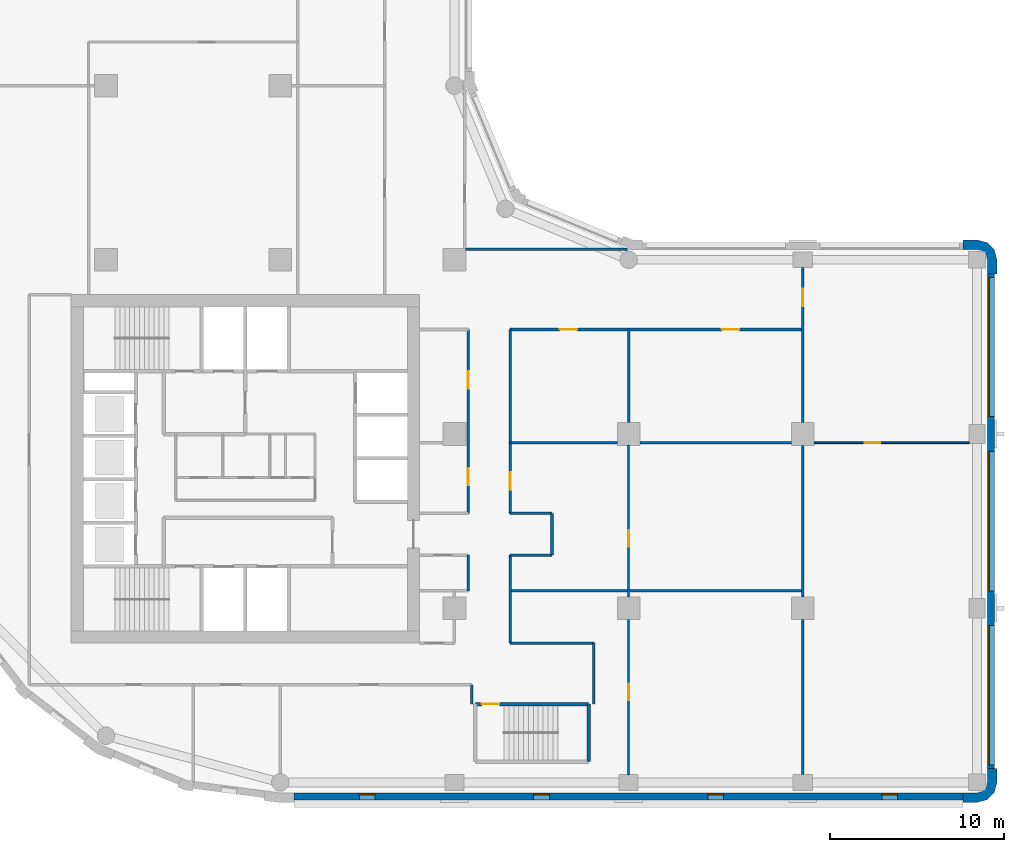
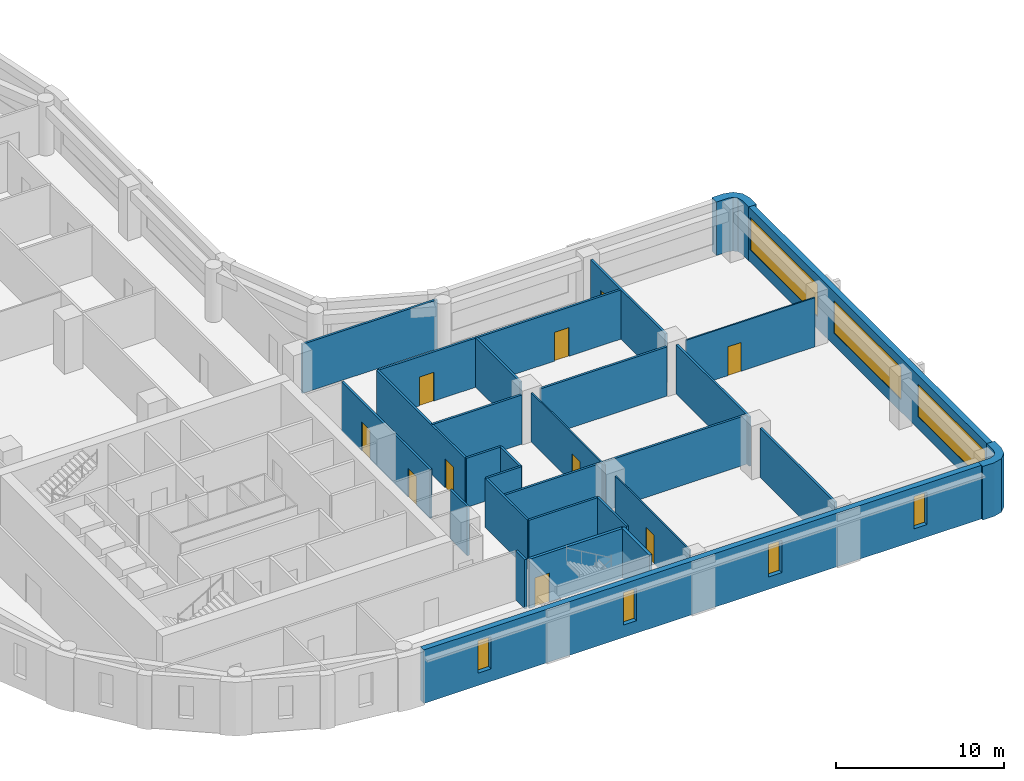
# One storey, part 4 of 9: 28 walls, 10 doors, 7 windows, 17 openings.
"""IFC4 building model written with IfcOpenShell, lengths in metres."""

from ifc_helpers import new_model, si_unit, direction, frame, frame_2d, origin, place, context, subcontext, project, spatial, polyline, rectangle, outline, extrude, material, layer, layer_set, type_object, element, fill, save


model = new_model("IFC4")

# Units and contexts
model_context = context("Model", 3, precision=1e-05, world=origin(), true_north=direction((0.0, 1.0)))
body_context = subcontext(model_context, "Body", "Model", "MODEL_VIEW")
ifc_project = project(units=[si_unit("LENGTHUNIT", "METRE"), si_unit("AREAUNIT", "SQUARE_METRE"), si_unit("VOLUMEUNIT", "CUBIC_METRE"), si_unit("PLANEANGLEUNIT", "RADIAN"), si_unit("MASSUNIT", "GRAM", prefix="KILO")], contexts=[model_context])

# Site, building, storey
site_placement = place(None, origin())
site = spatial("IfcSite", under=ifc_project, at=site_placement, CompositionType="ELEMENT")
building_placement = place(site_placement, origin())
building = spatial("IfcBuilding", under=site, at=building_placement, Name="Qaws Garden Tower", CompositionType="ELEMENT")
storey_placement = place(building_placement, frame((0.0, 0.0, 159.0)))
storey = spatial("IfcBuildingStorey", under=building, at=storey_placement, Name="L38", CompositionType="ELEMENT", Elevation=159.0)

# Walls
ifc_material_1 = material(Name="Clay facing brick masonry", Category="masonry")
ifc_layer_1 = layer(ifc_material_1, 0.550048828125)
ifc_layer_set_1 = layer_set([ifc_layer_1], Name="Clay facing brick masonry")
wall_type_1 = type_object("IfcWallType", Name="Brick corner pier 550 x 2400", PredefinedType="SOLIDWALL", material=ifc_layer_set_1)
placement = place(storey_placement, origin())
element("IfcWall", 1, at=placement, inside=storey, type_object=wall_type_1, Name="E-L38-pier-04", PredefinedType="SOLIDWALL", context=body_context, shape_type="SweptSolid", body=[
    extrude(outline(polyline([(59.199951171875, -1.0), (59.199951171875, -1.14990234375), (60.0, -1.14990234375), (60.574951171875, -0.995849609375), (60.995849609375, -0.574951171875), (61.14990234375, 0.0), (61.14990234375, 0.800048828125), (61.0, 0.800048828125), (60.60009765625, 0.800048828125), (60.60009765625, 0.0), (60.51953125, -0.300048828125), (60.300048828125, -0.51953125), (60.0, -0.60009765625), (59.199951171875, -0.60009765625), (59.199951171875, -1.0)])), origin(), (0.0, 0.0, 1.0), 3.89990234375),
])
element("IfcWall", 2, at=placement, inside=storey, type_object=wall_type_1, Name="E-L38-pier-07", PredefinedType="SOLIDWALL", context=body_context, shape_type="SweptSolid", body=[
    extrude(outline(polyline([(61.0, 29.199951171875), (61.14990234375, 29.199951171875), (61.14990234375, 30.0), (60.995849609375, 30.574951171875), (60.574951171875, 30.995849609375), (60.0, 31.14990234375), (59.199951171875, 31.14990234375), (59.199951171875, 31.0), (59.199951171875, 30.60009765625), (60.0, 30.60009765625), (60.300048828125, 30.51953125), (60.51953125, 30.300048828125), (60.60009765625, 30.0), (60.60009765625, 29.199951171875), (61.0, 29.199951171875)])), origin(), (0.0, 0.0, 1.0), 3.89990234375),
])

# Wall, openings, windows
ifc_material_2 = material(Name="Clay facing brick masonry", Category="masonry")
ifc_layer_2 = layer(ifc_material_2, 0.39990234375)
ifc_layer_set_2 = layer_set([ifc_layer_2], Name="Clay facing brick masonry")
wall_type_2 = type_object("IfcWallType", Name="Brick infill wall 400", PredefinedType="SOLIDWALL", material=ifc_layer_set_2)
wall_3_placement = place(storey_placement, frame((20.800048828125, -0.800048828125, 0.0), z_axis=(0.0, 0.0, 1.0), x_axis=(1.0, 0.0, 0.0)))
wall_3 = element("IfcWall", 3, at=wall_3_placement, inside=storey, type_object=wall_type_2, Name="E-L38-infill-00", PredefinedType="SOLIDWALL", context=body_context, shape_type="SweptSolid", body=[
    extrude(rectangle(XDim=38.39990234375, YDim=0.39990234375, at=frame_2d((19.199951171875, 0.0))), origin(), (0.0, 0.0, 1.0), 3.89990234375),
])
opening_1_placement = place(wall_3_placement, frame((3.75, 0.0, 0.89990234375)))
opening_1 = element("IfcOpeningElement", 4, at=opening_1_placement, cuts=wall_3, Name="Opening W09", PredefinedType="OPENING", context=body_context, shape_type="SweptSolid", body=[
    extrude(rectangle(XDim=0.89990234375, YDim=2.35009765625, at=frame_2d((0.449951171875, 1.175048828125))), frame((0.0, 0.2099609375, 0.0), z_axis=(0.0, -1.0, 0.0), x_axis=(1.0, 0.0, 0.0)), (0.0, 0.0, 1.0), 0.419921875),
])
opening_2_placement = place(wall_3_placement, frame((13.75, 0.0, 0.89990234375)))
opening_2 = element("IfcOpeningElement", 5, at=opening_2_placement, cuts=wall_3, Name="Opening W09", PredefinedType="OPENING", context=body_context, shape_type="SweptSolid", body=[
    extrude(rectangle(XDim=0.89990234375, YDim=2.35009765625, at=frame_2d((0.449951171875, 1.175048828125))), frame((0.0, 0.2099609375, 0.0), z_axis=(0.0, -1.0, 0.0), x_axis=(1.0, 0.0, 0.0)), (0.0, 0.0, 1.0), 0.419921875),
])
opening_3_placement = place(wall_3_placement, frame((23.75, 0.0, 0.89990234375)))
opening_3 = element("IfcOpeningElement", 6, at=opening_3_placement, cuts=wall_3, Name="Opening W09", PredefinedType="OPENING", context=body_context, shape_type="SweptSolid", body=[
    extrude(rectangle(XDim=0.89990234375, YDim=2.35009765625, at=frame_2d((0.449951171875, 1.175048828125))), frame((0.0, 0.2099609375, 0.0), z_axis=(0.0, -1.0, 0.0), x_axis=(1.0, 0.0, 0.0)), (0.0, 0.0, 1.0), 0.419921875),
])
opening_4_placement = place(wall_3_placement, frame((33.75, 0.0, 0.89990234375)))
opening_4 = element("IfcOpeningElement", 7, at=opening_4_placement, cuts=wall_3, Name="Opening W09", PredefinedType="OPENING", context=body_context, shape_type="SweptSolid", body=[
    extrude(rectangle(XDim=0.89990234375, YDim=2.35009765625, at=frame_2d((0.449951171875, 1.175048828125))), frame((0.0, 0.2099609375, 0.0), z_axis=(0.0, -1.0, 0.0), x_axis=(1.0, 0.0, 0.0)), (0.0, 0.0, 1.0), 0.419921875),
])
ifc_material_3 = material(Name="Aluminium framed window, clear glazing", Category="aluminium")
window_type_1 = type_object("IfcWindowType", Name="Slit window 900 x 2350", PartitioningType="SINGLE_PANEL", PredefinedType="WINDOW", material=ifc_material_3)
window_1_placement = place(opening_1_placement, origin())
window_1 = element("IfcWindow", 8, at=window_1_placement, inside=storey, type_object=window_type_1, Name="E-L38-window-00-0", OverallHeight=2.35009765625, OverallWidth=0.89990234375, PartitioningType="SINGLE_PANEL", PredefinedType="WINDOW", context=body_context, shape_type="SweptSolid", body=[
    extrude(rectangle(XDim=0.89990234375, YDim=2.35009765625, at=frame_2d((0.449951171875, 1.175048828125))), frame((0.0, 0.159912109375, 0.0), z_axis=(0.0, -1.0, 0.0), x_axis=(1.0, 0.0, 0.0)), (0.0, 0.0, 1.0), 0.06005859375),
])
fill(opening_1, window_1)
window_2_placement = place(opening_2_placement, origin())
window_2 = element("IfcWindow", 9, at=window_2_placement, inside=storey, type_object=window_type_1, Name="E-L38-window-01-0", OverallHeight=2.35009765625, OverallWidth=0.89990234375, PartitioningType="SINGLE_PANEL", PredefinedType="WINDOW", context=body_context, shape_type="SweptSolid", body=[
    extrude(rectangle(XDim=0.89990234375, YDim=2.35009765625, at=frame_2d((0.449951171875, 1.175048828125))), frame((0.0, 0.159912109375, 0.0), z_axis=(0.0, -1.0, 0.0), x_axis=(1.0, 0.0, 0.0)), (0.0, 0.0, 1.0), 0.06005859375),
])
fill(opening_2, window_2)
window_3_placement = place(opening_3_placement, origin())
window_3 = element("IfcWindow", 10, at=window_3_placement, inside=storey, type_object=window_type_1, Name="E-L38-window-02-0", OverallHeight=2.35009765625, OverallWidth=0.89990234375, PartitioningType="SINGLE_PANEL", PredefinedType="WINDOW", context=body_context, shape_type="SweptSolid", body=[
    extrude(rectangle(XDim=0.89990234375, YDim=2.35009765625, at=frame_2d((0.449951171875, 1.175048828125))), frame((0.0, 0.159912109375, 0.0), z_axis=(0.0, -1.0, 0.0), x_axis=(1.0, 0.0, 0.0)), (0.0, 0.0, 1.0), 0.06005859375),
])
fill(opening_3, window_3)
window_4_placement = place(opening_4_placement, origin())
window_4 = element("IfcWindow", 11, at=window_4_placement, inside=storey, type_object=window_type_1, Name="E-L38-window-03-0", OverallHeight=2.35009765625, OverallWidth=0.89990234375, PartitioningType="SINGLE_PANEL", PredefinedType="WINDOW", context=body_context, shape_type="SweptSolid", body=[
    extrude(rectangle(XDim=0.89990234375, YDim=2.35009765625, at=frame_2d((0.449951171875, 1.175048828125))), frame((0.0, 0.159912109375, 0.0), z_axis=(0.0, -1.0, 0.0), x_axis=(1.0, 0.0, 0.0)), (0.0, 0.0, 1.0), 0.06005859375),
])
fill(opening_4, window_4)

wall_4_placement = place(storey_placement, frame((60.800048828125, 0.800048828125, 0.0), z_axis=(0.0, 0.0, 1.0), x_axis=(0.0, 1.0, 0.0)))
wall_4 = element("IfcWall", 12, at=wall_4_placement, inside=storey, type_object=wall_type_2, Name="E-L38-infill-04", PredefinedType="SOLIDWALL", context=body_context, shape_type="SweptSolid", body=[
    extrude(rectangle(XDim=28.39990234375, YDim=0.39990234375, at=frame_2d((14.199951171875, 0.0))), origin(), (0.0, 0.0, 1.0), 3.89990234375),
])
opening_5_placement = place(wall_4_placement, frame((0.199951171875, 0.0, 0.89990234375)))
opening_5 = element("IfcOpeningElement", 13, at=opening_5_placement, cuts=wall_4, Name="Opening W01", PredefinedType="OPENING", context=body_context, shape_type="SweptSolid", body=[
    extrude(rectangle(XDim=8.0, YDim=2.35009765625, at=frame_2d((4.0, 1.175048828125))), frame((0.0, 0.2099609375, 0.0), z_axis=(0.0, -1.0, 0.0), x_axis=(1.0, 0.0, 0.0)), (0.0, 0.0, 1.0), 0.419921875),
])
opening_6_placement = place(wall_4_placement, frame((10.199951171875, 0.0, 0.89990234375)))
opening_6 = element("IfcOpeningElement", 14, at=opening_6_placement, cuts=wall_4, Name="Opening W01", PredefinedType="OPENING", context=body_context, shape_type="SweptSolid", body=[
    extrude(rectangle(XDim=8.0, YDim=2.35009765625, at=frame_2d((4.0, 1.175048828125))), frame((0.0, 0.2099609375, 0.0), z_axis=(0.0, -1.0, 0.0), x_axis=(1.0, 0.0, 0.0)), (0.0, 0.0, 1.0), 0.419921875),
])
opening_7_placement = place(wall_4_placement, frame((20.199951171875, 0.0, 0.89990234375)))
opening_7 = element("IfcOpeningElement", 15, at=opening_7_placement, cuts=wall_4, Name="Opening W01", PredefinedType="OPENING", context=body_context, shape_type="SweptSolid", body=[
    extrude(rectangle(XDim=8.0, YDim=2.35009765625, at=frame_2d((4.0, 1.175048828125))), frame((0.0, 0.2099609375, 0.0), z_axis=(0.0, -1.0, 0.0), x_axis=(1.0, 0.0, 0.0)), (0.0, 0.0, 1.0), 0.419921875),
])
ifc_material_4 = material(Name="Aluminium framed window, clear glazing", Category="aluminium")
window_type_2 = type_object("IfcWindowType", Name="Ribbon window 8000 x 2350", PartitioningType="DOUBLE_PANEL_VERTICAL", PredefinedType="WINDOW", material=ifc_material_4)
window_5_placement = place(opening_5_placement, origin())
window_5 = element("IfcWindow", 16, at=window_5_placement, inside=storey, type_object=window_type_2, Name="E-L38-window-04-0", OverallHeight=2.35009765625, OverallWidth=8.0, PartitioningType="SINGLE_PANEL", PredefinedType="WINDOW", context=body_context, shape_type="SweptSolid", body=[
    extrude(rectangle(XDim=8.0, YDim=2.35009765625, at=frame_2d((4.0, 1.175048828125))), frame((0.0, 0.159912109375, 0.0), z_axis=(0.0, -1.0, 0.0), x_axis=(1.0, 0.0, 0.0)), (0.0, 0.0, 1.0), 0.06005859375),
])
fill(opening_5, window_5)
window_6_placement = place(opening_6_placement, origin())
window_6 = element("IfcWindow", 17, at=window_6_placement, inside=storey, type_object=window_type_2, Name="E-L38-window-05-0", OverallHeight=2.35009765625, OverallWidth=8.0, PartitioningType="SINGLE_PANEL", PredefinedType="WINDOW", context=body_context, shape_type="SweptSolid", body=[
    extrude(rectangle(XDim=8.0, YDim=2.35009765625, at=frame_2d((4.0, 1.175048828125))), frame((0.0, 0.159912109375, 0.0), z_axis=(0.0, -1.0, 0.0), x_axis=(1.0, 0.0, 0.0)), (0.0, 0.0, 1.0), 0.06005859375),
])
fill(opening_6, window_6)
window_7_placement = place(opening_7_placement, origin())
window_7 = element("IfcWindow", 18, at=window_7_placement, inside=storey, type_object=window_type_2, Name="E-L38-window-06-0", OverallHeight=2.35009765625, OverallWidth=8.0, PartitioningType="SINGLE_PANEL", PredefinedType="WINDOW", context=body_context, shape_type="SweptSolid", body=[
    extrude(rectangle(XDim=8.0, YDim=2.35009765625, at=frame_2d((4.0, 1.175048828125))), frame((0.0, 0.159912109375, 0.0), z_axis=(0.0, -1.0, 0.0), x_axis=(1.0, 0.0, 0.0)), (0.0, 0.0, 1.0), 0.06005859375),
])
fill(opening_7, window_7)

# Wall, opening, door
ifc_material_5 = material(Name="Concrete C70", Category="concrete")
ifc_layer_3 = layer(ifc_material_5, 0.199951171875)
ifc_layer_set_3 = layer_set([ifc_layer_3], Name="Concrete C70")
wall_type_3 = type_object("IfcWallType", Name="Core shaft wall 200 C70", PredefinedType="SHEAR", material=ifc_layer_set_3)
wall_5_placement = place(storey_placement, frame((31.199951171875, 4.5, 0.0), z_axis=(0.0, 0.0, 1.0), x_axis=(1.0, 0.0, 0.0)))
wall_5 = element("IfcWall", 19, at=wall_5_placement, inside=storey, type_object=wall_type_3, Name="Shaft wall", PredefinedType="SHEAR", context=body_context, shape_type="SweptSolid", body=[
    extrude(rectangle(XDim=6.5, YDim=0.199951171875, at=frame_2d((3.25, 0.0))), origin(), (0.0, 0.0, 1.0), 3.580078125),
])
opening_8_placement = place(wall_5_placement, frame((0.375, 0.0, 0.0)))
opening_8 = element("IfcOpeningElement", 20, at=opening_8_placement, cuts=wall_5, Name="Opening SD12", PredefinedType="OPENING", context=body_context, shape_type="SweptSolid", body=[
    extrude(rectangle(XDim=1.0, YDim=2.10009765625, at=frame_2d((0.5, 1.050048828125))), frame((0.0, 0.10986328125, 0.0), z_axis=(0.0, -1.0, 0.0), x_axis=(1.0, 0.0, 0.0)), (0.0, 0.0, 1.0), 0.219970703125),
])
ifc_material_6 = material(Name="Steel S235", Category="steel")
door_type_1 = type_object("IfcDoorType", Name="Stair door 1000x2100", OperationType="SINGLE_SWING_RIGHT", PredefinedType="DOOR", material=ifc_material_6)
door_1_placement = place(opening_8_placement, frame((1.0, 0.0, 0.0), z_axis=(0.0, 0.0, 1.0), x_axis=(-1.0, 0.0, 0.0)))
door_1 = element("IfcDoor", 21, at=door_1_placement, inside=storey, type_object=door_type_1, Name="Stair 5 door", OperationType="SINGLE_SWING_RIGHT", OverallHeight=2.10009765625, OverallWidth=1.0, PredefinedType="DOOR", context=body_context, shape_type="SweptSolid", body=[
    extrude(rectangle(XDim=1.0, YDim=2.10009765625, at=frame_2d((0.5, 1.050048828125))), frame((0.0, 0.02490234375, 0.0), z_axis=(0.0, -1.0, 0.0), x_axis=(1.0, 0.0, 0.0)), (0.0, 0.0, 1.0), 0.050048828125),
])
fill(opening_8, door_1)

# Wall
wall_6_placement = place(storey_placement, frame((37.699951171875, 1.199951171875, 0.0), z_axis=(0.0, 0.0, 1.0), x_axis=(0.0, 1.0, 0.0)))
element("IfcWall", 22, at=wall_6_placement, inside=storey, type_object=wall_type_3, Name="Shaft wall", PredefinedType="SHEAR", context=body_context, shape_type="SweptSolid", body=[
    extrude(rectangle(XDim=3.300048828125, YDim=0.199951171875, at=frame_2d((1.64990234375, 0.0))), origin(), (0.0, 0.0, 1.0), 3.580078125),
])

# Wall, opening, door
ifc_material_7 = material(Name="Gypsum board partition")
ifc_layer_4 = layer(ifc_material_7, 0.10009765625)
ifc_layer_set_4 = layer_set([ifc_layer_4], Name="Gypsum board partition")
wall_type_4 = type_object("IfcWallType", Name="PARTITION 100", PredefinedType="PARTITIONING", material=ifc_layer_set_4)
wall_7_placement = place(storey_placement, frame((40.0, 0.449951171875, 0.0), z_axis=(0.0, 0.0, 1.0), x_axis=(0.0, 1.0, 0.0)))
wall_7 = element("IfcWall", 23, at=wall_7_placement, inside=storey, type_object=wall_type_4, Name="O-L38-wall-002", PredefinedType="PARTITIONING", context=body_context, shape_type="SweptSolid", body=[
    extrude(rectangle(XDim=8.900146484375, YDim=0.10009765625, at=frame_2d((4.4501953125, 0.0))), origin(), (0.0, 0.0, 1.0), 3.580078125),
])
opening_9_placement = place(wall_7_placement, frame((4.27490234375, 0.0, 0.0)))
opening_9 = element("IfcOpeningElement", 24, at=opening_9_placement, cuts=wall_7, Name="Opening B322", PredefinedType="OPENING", context=body_context, shape_type="SweptSolid", body=[
    extrude(rectangle(XDim=0.949951171875, YDim=2.10009765625, at=frame_2d((0.47509765625, 1.050048828125))), frame((0.0, 0.06005859375, 0.0), z_axis=(0.0, -1.0, 0.0), x_axis=(1.0, 0.0, 0.0)), (0.0, 0.0, 1.0), 0.1201171875),
])
ifc_material_8 = material(Name="Timber and glass door leaf", Category="wood")
door_type_2 = type_object("IfcDoorType", Name="GLAZED DOOR 950 X 2100", OperationType="SINGLE_SWING_LEFT", PredefinedType="DOOR", material=ifc_material_8)
door_2_placement = place(opening_9_placement, frame((0.949951171875, 0.0, 0.0), z_axis=(0.0, 0.0, 1.0), x_axis=(-1.0, 0.0, 0.0)))
door_2 = element("IfcDoor", 25, at=door_2_placement, inside=storey, type_object=door_type_2, Name="O-L38-door-022", OperationType="SINGLE_SWING_LEFT", OverallHeight=2.10009765625, OverallWidth=0.949951171875, PredefinedType="DOOR", context=body_context, shape_type="SweptSolid", body=[
    extrude(rectangle(XDim=0.949951171875, YDim=2.10009765625, at=frame_2d((0.47509765625, 1.050048828125))), frame((0.0, 0.02490234375, 0.0), z_axis=(0.0, -1.0, 0.0), x_axis=(1.0, 0.0, 0.0)), (0.0, 0.0, 1.0), 0.050048828125),
])
fill(opening_9, door_2)

wall_8_placement = place(storey_placement, frame((40.0, 10.64990234375, 0.0), z_axis=(0.0, 0.0, 1.0), x_axis=(0.0, 1.0, 0.0)))
wall_8 = element("IfcWall", 26, at=wall_8_placement, inside=storey, type_object=wall_type_4, Name="O-L38-wall-003", PredefinedType="PARTITIONING", context=body_context, shape_type="SweptSolid", body=[
    extrude(rectangle(XDim=8.7001953125, YDim=0.10009765625, at=frame_2d((4.35009765625, 0.0))), origin(), (0.0, 0.0, 1.0), 3.580078125),
])
opening_10_placement = place(wall_8_placement, frame((2.875, 0.0, 0.0)))
opening_10 = element("IfcOpeningElement", 27, at=opening_10_placement, cuts=wall_8, Name="Opening B325", PredefinedType="OPENING", context=body_context, shape_type="SweptSolid", body=[
    extrude(rectangle(XDim=0.949951171875, YDim=2.10009765625, at=frame_2d((0.47509765625, 1.050048828125))), frame((0.0, 0.06005859375, 0.0), z_axis=(0.0, -1.0, 0.0), x_axis=(1.0, 0.0, 0.0)), (0.0, 0.0, 1.0), 0.1201171875),
])
door_3_placement = place(opening_10_placement, origin())
door_3 = element("IfcDoor", 28, at=door_3_placement, inside=storey, type_object=door_type_2, Name="O-L38-door-025", OperationType="SINGLE_SWING_RIGHT", OverallHeight=2.10009765625, OverallWidth=0.949951171875, PredefinedType="DOOR", context=body_context, shape_type="SweptSolid", body=[
    extrude(rectangle(XDim=0.949951171875, YDim=2.10009765625, at=frame_2d((0.47509765625, 1.050048828125))), frame((0.0, 0.02490234375, 0.0), z_axis=(0.0, -1.0, 0.0), x_axis=(1.0, 0.0, 0.0)), (0.0, 0.0, 1.0), 0.050048828125),
])
fill(opening_10, door_3)

wall_9_placement = place(storey_placement, frame((50.64990234375, 19.5, 0.0), z_axis=(0.0, 0.0, 1.0), x_axis=(1.0, 0.0, 0.0)))
wall_9 = element("IfcWall", 29, at=wall_9_placement, inside=storey, type_object=wall_type_4, Name="O-L38-wall-004", PredefinedType="PARTITIONING", context=body_context, shape_type="SweptSolid", body=[
    extrude(rectangle(XDim=8.900146484375, YDim=0.10009765625, at=frame_2d((4.4501953125, 0.0))), origin(), (0.0, 0.0, 1.0), 3.580078125),
])
opening_11_placement = place(wall_9_placement, frame((2.89990234375, 0.0, 0.0)))
opening_11 = element("IfcOpeningElement", 30, at=opening_11_placement, cuts=wall_9, Name="Opening B323", PredefinedType="OPENING", context=body_context, shape_type="SweptSolid", body=[
    extrude(rectangle(XDim=0.89990234375, YDim=2.10009765625, at=frame_2d((0.449951171875, 1.050048828125))), frame((0.0, 0.06005859375, 0.0), z_axis=(0.0, -1.0, 0.0), x_axis=(1.0, 0.0, 0.0)), (0.0, 0.0, 1.0), 0.1201171875),
])
ifc_material_9 = material(Name="Timber door leaf", Category="wood")
door_type_3 = type_object("IfcDoorType", Name="OFFICE DOOR 900 X 2100", OperationType="SINGLE_SWING_LEFT", PredefinedType="DOOR", material=ifc_material_9)
door_4_placement = place(opening_11_placement, origin())
door_4 = element("IfcDoor", 31, at=door_4_placement, inside=storey, type_object=door_type_3, Name="O-L38-door-023", OperationType="SINGLE_SWING_LEFT", OverallHeight=2.10009765625, OverallWidth=0.89990234375, PredefinedType="DOOR", context=body_context, shape_type="SweptSolid", body=[
    extrude(rectangle(XDim=0.89990234375, YDim=2.10009765625, at=frame_2d((0.449951171875, 1.050048828125))), frame((0.0, 0.02490234375, 0.0), z_axis=(0.0, -1.0, 0.0), x_axis=(1.0, 0.0, 0.0)), (0.0, 0.0, 1.0), 0.050048828125),
])
fill(opening_11, door_4)

# Wall
ifc_material_10 = material(Name="Gypsum board partition")
ifc_layer_5 = layer(ifc_material_10, 0.14990234375)
ifc_layer_set_5 = layer_set([ifc_layer_5], Name="Gypsum board partition")
wall_type_5 = type_object("IfcWallType", Name="PARTITION 150 EI 60", PredefinedType="PARTITIONING", material=ifc_layer_set_5)
wall_10_placement = place(storey_placement, frame((30.800048828125, 11.0, 0.0), z_axis=(0.0, 0.0, 1.0), x_axis=(0.0, 1.0, 0.0)))
element("IfcWall", 32, at=wall_10_placement, inside=storey, type_object=wall_type_5, Name="O-L38-wall-019", PredefinedType="PARTITIONING", context=body_context, shape_type="SweptSolid", body=[
    extrude(rectangle(XDim=2.050048828125, YDim=0.14990234375, at=frame_2d((1.02490234375, 0.0))), origin(), (0.0, 0.0, 1.0), 3.580078125),
])

# Wall, openings, doors
wall_11_placement = place(storey_placement, frame((30.800048828125, 15.449951171875, 0.0), z_axis=(0.0, 0.0, 1.0), x_axis=(0.0, 1.0, 0.0)))
wall_11 = element("IfcWall", 33, at=wall_11_placement, inside=storey, type_object=wall_type_5, Name="O-L38-wall-020", PredefinedType="PARTITIONING", context=body_context, shape_type="SweptSolid", body=[
    extrude(rectangle(XDim=10.550048828125, YDim=0.14990234375, at=frame_2d((5.27490234375, 0.0))), origin(), (0.0, 0.0, 1.0), 3.580078125),
])
opening_12_placement = place(wall_11_placement, frame((7.14990234375, 0.0, 0.0)))
opening_12 = element("IfcOpeningElement", 34, at=opening_12_placement, cuts=wall_11, Name="Opening B310", PredefinedType="OPENING", context=body_context, shape_type="SweptSolid", body=[
    extrude(rectangle(XDim=1.0, YDim=2.10009765625, at=frame_2d((0.5, 1.050048828125))), frame((0.0, 0.0849609375, 0.0), z_axis=(0.0, -1.0, 0.0), x_axis=(1.0, 0.0, 0.0)), (0.0, 0.0, 1.0), 0.169921875),
])
opening_13_placement = place(wall_11_placement, frame((1.60009765625, 0.0, 0.0)))
opening_13 = element("IfcOpeningElement", 35, at=opening_13_placement, cuts=wall_11, Name="Opening B321", PredefinedType="OPENING", context=body_context, shape_type="SweptSolid", body=[
    extrude(rectangle(XDim=1.0, YDim=2.10009765625, at=frame_2d((0.5, 1.050048828125))), frame((0.0, 0.0849609375, 0.0), z_axis=(0.0, -1.0, 0.0), x_axis=(1.0, 0.0, 0.0)), (0.0, 0.0, 1.0), 0.169921875),
])
ifc_material_11 = material(Name="Timber door leaf", Category="wood")
door_type_4 = type_object("IfcDoorType", Name="TENANCY ENTRANCE DOOR 1000 X 2100", OperationType="SINGLE_SWING_LEFT", PredefinedType="DOOR", material=ifc_material_11)
door_5_placement = place(opening_12_placement, origin())
door_5 = element("IfcDoor", 36, at=door_5_placement, inside=storey, type_object=door_type_4, Name="O-L38-door-010", OperationType="SINGLE_SWING_RIGHT", OverallHeight=2.10009765625, OverallWidth=1.0, PredefinedType="DOOR", context=body_context, shape_type="SweptSolid", body=[
    extrude(rectangle(XDim=1.0, YDim=2.10009765625, at=frame_2d((0.5, 1.050048828125))), frame((0.0, 0.02490234375, 0.0), z_axis=(0.0, -1.0, 0.0), x_axis=(1.0, 0.0, 0.0)), (0.0, 0.0, 1.0), 0.050048828125),
])
fill(opening_12, door_5)
door_6_placement = place(opening_13_placement, origin())
door_6 = element("IfcDoor", 37, at=door_6_placement, inside=storey, type_object=door_type_4, Name="O-L38-door-021", OperationType="SINGLE_SWING_RIGHT", OverallHeight=2.10009765625, OverallWidth=1.0, PredefinedType="DOOR", context=body_context, shape_type="SweptSolid", body=[
    extrude(rectangle(XDim=1.0, YDim=2.10009765625, at=frame_2d((0.5, 1.050048828125))), frame((0.0, 0.02490234375, 0.0), z_axis=(0.0, -1.0, 0.0), x_axis=(1.0, 0.0, 0.0)), (0.0, 0.0, 1.0), 0.050048828125),
])
fill(opening_13, door_6)

# Walls
wall_12_placement = place(storey_placement, frame((31.0, 4.5, 0.0), z_axis=(0.0, 0.0, 1.0), x_axis=(0.0, 1.0, 0.0)))
element("IfcWall", 38, at=wall_12_placement, inside=storey, type_object=wall_type_5, Name="O-L38-wall-021", PredefinedType="PARTITIONING", context=body_context, shape_type="SweptSolid", body=[
    extrude(rectangle(XDim=1.10009765625, YDim=0.14990234375, at=frame_2d((0.550048828125, 0.0))), origin(), (0.0, 0.0, 1.0), 3.580078125),
])
wall_13_placement = place(storey_placement, frame((33.199951171875, 8.0, 0.0), z_axis=(0.0, 0.0, 1.0), x_axis=(0.0, 1.0, 0.0)))
element("IfcWall", 39, at=wall_13_placement, inside=storey, type_object=wall_type_5, Name="O-L38-wall-022", PredefinedType="PARTITIONING", context=body_context, shape_type="SweptSolid", body=[
    extrude(rectangle(XDim=5.050048828125, YDim=0.14990234375, at=frame_2d((2.52490234375, 0.0))), origin(), (0.0, 0.0, 1.0), 3.580078125),
])

# Wall, opening, door
wall_14_placement = place(storey_placement, frame((33.199951171875, 15.449951171875, 0.0), z_axis=(0.0, 0.0, 1.0), x_axis=(0.0, 1.0, 0.0)))
wall_14 = element("IfcWall", 40, at=wall_14_placement, inside=storey, type_object=wall_type_5, Name="O-L38-wall-023", PredefinedType="PARTITIONING", context=body_context, shape_type="SweptSolid", body=[
    extrude(rectangle(XDim=10.550048828125, YDim=0.14990234375, at=frame_2d((5.27490234375, 0.0))), origin(), (0.0, 0.0, 1.0), 3.580078125),
])
opening_14_placement = place(wall_14_placement, frame((1.35009765625, 0.0, 0.0)))
opening_14 = element("IfcOpeningElement", 41, at=opening_14_placement, cuts=wall_14, Name="Opening B320", PredefinedType="OPENING", context=body_context, shape_type="SweptSolid", body=[
    extrude(rectangle(XDim=1.0, YDim=2.10009765625, at=frame_2d((0.5, 1.050048828125))), frame((0.0, 0.0849609375, 0.0), z_axis=(0.0, -1.0, 0.0), x_axis=(1.0, 0.0, 0.0)), (0.0, 0.0, 1.0), 0.169921875),
])
door_7_placement = place(opening_14_placement, frame((1.0, 0.0, 0.0), z_axis=(0.0, 0.0, 1.0), x_axis=(-1.0, 0.0, 0.0)))
door_7 = element("IfcDoor", 42, at=door_7_placement, inside=storey, type_object=door_type_4, Name="O-L38-door-020", OperationType="SINGLE_SWING_RIGHT", OverallHeight=2.10009765625, OverallWidth=1.0, PredefinedType="DOOR", context=body_context, shape_type="SweptSolid", body=[
    extrude(rectangle(XDim=1.0, YDim=2.10009765625, at=frame_2d((0.5, 1.050048828125))), frame((0.0, 0.02490234375, 0.0), z_axis=(0.0, -1.0, 0.0), x_axis=(1.0, 0.0, 0.0)), (0.0, 0.0, 1.0), 0.050048828125),
])
fill(opening_14, door_7)

# Walls
wall_15_placement = place(storey_placement, frame((35.60009765625, 13.050048828125, 0.0), z_axis=(0.0, 0.0, 1.0), x_axis=(0.0, 1.0, 0.0)))
element("IfcWall", 43, at=wall_15_placement, inside=storey, type_object=wall_type_5, Name="O-L38-wall-024", PredefinedType="PARTITIONING", context=body_context, shape_type="SweptSolid", body=[
    extrude(rectangle(XDim=2.39990234375, YDim=0.14990234375, at=frame_2d((1.199951171875, 0.0))), origin(), (0.0, 0.0, 1.0), 3.580078125),
])
wall_16_placement = place(storey_placement, frame((38.0, 4.5, 0.0), z_axis=(0.0, 0.0, 1.0), x_axis=(0.0, 1.0, 0.0)))
element("IfcWall", 44, at=wall_16_placement, inside=storey, type_object=wall_type_5, Name="O-L38-wall-025", PredefinedType="PARTITIONING", context=body_context, shape_type="SweptSolid", body=[
    extrude(rectangle(XDim=3.5, YDim=0.14990234375, at=frame_2d((1.75, 0.0))), origin(), (0.0, 0.0, 1.0), 3.580078125),
])
wall_17_placement = place(storey_placement, frame((40.0, 20.64990234375, 0.0), z_axis=(0.0, 0.0, 1.0), x_axis=(0.0, 1.0, 0.0)))
element("IfcWall", 45, at=wall_17_placement, inside=storey, type_object=wall_type_5, Name="O-L38-wall-026", PredefinedType="PARTITIONING", context=body_context, shape_type="SweptSolid", body=[
    extrude(rectangle(XDim=5.35009765625, YDim=0.14990234375, at=frame_2d((2.675048828125, 0.0))), origin(), (0.0, 0.0, 1.0), 3.580078125),
])
wall_18_placement = place(storey_placement, frame((50.0, 0.449951171875, 0.0), z_axis=(0.0, 0.0, 1.0), x_axis=(0.0, 1.0, 0.0)))
element("IfcWall", 46, at=wall_18_placement, inside=storey, type_object=wall_type_5, Name="O-L38-wall-027", PredefinedType="PARTITIONING", context=body_context, shape_type="SweptSolid", body=[
    extrude(rectangle(XDim=8.900146484375, YDim=0.14990234375, at=frame_2d((4.4501953125, 0.0))), origin(), (0.0, 0.0, 1.0), 3.580078125),
])
wall_19_placement = place(storey_placement, frame((50.0, 10.64990234375, 0.0), z_axis=(0.0, 0.0, 1.0), x_axis=(0.0, 1.0, 0.0)))
element("IfcWall", 47, at=wall_19_placement, inside=storey, type_object=wall_type_5, Name="O-L38-wall-028", PredefinedType="PARTITIONING", context=body_context, shape_type="SweptSolid", body=[
    extrude(rectangle(XDim=8.7001953125, YDim=0.14990234375, at=frame_2d((4.35009765625, 0.0))), origin(), (0.0, 0.0, 1.0), 3.580078125),
])

# Wall, opening, door
wall_20_placement = place(storey_placement, frame((50.0, 20.64990234375, 0.0), z_axis=(0.0, 0.0, 1.0), x_axis=(0.0, 1.0, 0.0)))
wall_20 = element("IfcWall", 48, at=wall_20_placement, inside=storey, type_object=wall_type_5, Name="O-L38-wall-029", PredefinedType="PARTITIONING", context=body_context, shape_type="SweptSolid", body=[
    extrude(rectangle(XDim=8.900146484375, YDim=0.14990234375, at=frame_2d((4.4501953125, 0.0))), origin(), (0.0, 0.0, 1.0), 3.580078125),
])
opening_15_placement = place(wall_20_placement, frame((6.699951171875, 0.0, 0.0)))
opening_15 = element("IfcOpeningElement", 49, at=opening_15_placement, cuts=wall_20, Name="Opening B318", PredefinedType="OPENING", context=body_context, shape_type="SweptSolid", body=[
    extrude(rectangle(XDim=1.0, YDim=2.10009765625, at=frame_2d((0.5, 1.050048828125))), frame((0.0, 0.0849609375, 0.0), z_axis=(0.0, -1.0, 0.0), x_axis=(1.0, 0.0, 0.0)), (0.0, 0.0, 1.0), 0.169921875),
])
door_8_placement = place(opening_15_placement, frame((1.0, 0.0, 0.0), z_axis=(0.0, 0.0, 1.0), x_axis=(-1.0, 0.0, 0.0)))
door_8 = element("IfcDoor", 50, at=door_8_placement, inside=storey, type_object=door_type_4, Name="O-L38-door-018", OperationType="SINGLE_SWING_LEFT", OverallHeight=2.10009765625, OverallWidth=1.0, PredefinedType="DOOR", context=body_context, shape_type="SweptSolid", body=[
    extrude(rectangle(XDim=1.0, YDim=2.10009765625, at=frame_2d((0.5, 1.050048828125))), frame((0.0, 0.02490234375, 0.0), z_axis=(0.0, -1.0, 0.0), x_axis=(1.0, 0.0, 0.0)), (0.0, 0.0, 1.0), 0.050048828125),
])
fill(opening_15, door_8)

# Walls
wall_21_placement = place(storey_placement, frame((33.199951171875, 8.0, 0.0), z_axis=(0.0, 0.0, 1.0), x_axis=(1.0, 0.0, 0.0)))
element("IfcWall", 51, at=wall_21_placement, inside=storey, type_object=wall_type_5, Name="O-L38-wall-032", PredefinedType="PARTITIONING", context=body_context, shape_type="SweptSolid", body=[
    extrude(rectangle(XDim=4.800048828125, YDim=0.14990234375, at=frame_2d((2.39990234375, 0.0))), origin(), (0.0, 0.0, 1.0), 3.580078125),
])
wall_22_placement = place(storey_placement, frame((33.199951171875, 11.0, 0.0), z_axis=(0.0, 0.0, 1.0), x_axis=(1.0, 0.0, 0.0)))
element("IfcWall", 52, at=wall_22_placement, inside=storey, type_object=wall_type_5, Name="O-L38-wall-034", PredefinedType="PARTITIONING", context=body_context, shape_type="SweptSolid", body=[
    extrude(rectangle(XDim=16.800048828125, YDim=0.14990234375, at=frame_2d((8.39990234375, 0.0))), origin(), (0.0, 0.0, 1.0), 3.580078125),
])
for number, where, z_axis, x_axis, name in (
    (53, (33.199951171875, 13.050048828125, 0.0), (0.0, 0.0, 1.0), (1.0, 0.0, 0.0), "O-L38-wall-036"),
    (54, (33.199951171875, 15.449951171875, 0.0), (0.0, 0.0, 1.0), (1.0, 0.0, 0.0), "O-L38-wall-038"),
):
    element("IfcWall", number, at=place(storey_placement, frame(where, z_axis=z_axis, x_axis=x_axis)), inside=storey, type_object=wall_type_5, Name=name, PredefinedType="PARTITIONING", context=body_context, shape_type="SweptSolid", body=[
        extrude(rectangle(XDim=2.400146484375, YDim=0.14990234375, at=frame_2d((1.2001953125, 0.0))), origin(), (0.0, 0.0, 1.0), 3.580078125),
    ])
wall_23_placement = place(storey_placement, frame((33.199951171875, 19.5, 0.0), z_axis=(0.0, 0.0, 1.0), x_axis=(1.0, 0.0, 0.0)))
element("IfcWall", 55, at=wall_23_placement, inside=storey, type_object=wall_type_5, Name="O-L38-wall-040", PredefinedType="PARTITIONING", context=body_context, shape_type="SweptSolid", body=[
    extrude(rectangle(XDim=6.150146484375, YDim=0.14990234375, at=frame_2d((3.0751953125, 0.0))), origin(), (0.0, 0.0, 1.0), 3.580078125),
])
wall_24_placement = place(storey_placement, frame((40.64990234375, 19.5, 0.0), z_axis=(0.0, 0.0, 1.0), x_axis=(1.0, 0.0, 0.0)))
element("IfcWall", 56, at=wall_24_placement, inside=storey, type_object=wall_type_5, Name="O-L38-wall-041", PredefinedType="PARTITIONING", context=body_context, shape_type="SweptSolid", body=[
    extrude(rectangle(XDim=8.7001953125, YDim=0.14990234375, at=frame_2d((4.35009765625, 0.0))), origin(), (0.0, 0.0, 1.0), 3.580078125),
])

# Wall, openings, doors
wall_25_placement = place(storey_placement, frame((33.199951171875, 26.0, 0.0), z_axis=(0.0, 0.0, 1.0), x_axis=(1.0, 0.0, 0.0)))
wall_25 = element("IfcWall", 57, at=wall_25_placement, inside=storey, type_object=wall_type_5, Name="O-L38-wall-043", PredefinedType="PARTITIONING", context=body_context, shape_type="SweptSolid", body=[
    extrude(rectangle(XDim=16.800048828125, YDim=0.14990234375, at=frame_2d((8.39990234375, 0.0))), origin(), (0.0, 0.0, 1.0), 3.580078125),
])
opening_16_placement = place(wall_25_placement, frame((2.85009765625, 0.0, 0.0)))
opening_16 = element("IfcOpeningElement", 58, at=opening_16_placement, cuts=wall_25, Name="Opening B316", PredefinedType="OPENING", context=body_context, shape_type="SweptSolid", body=[
    extrude(rectangle(XDim=1.0, YDim=2.10009765625, at=frame_2d((0.5, 1.050048828125))), frame((0.0, 0.0849609375, 0.0), z_axis=(0.0, -1.0, 0.0), x_axis=(1.0, 0.0, 0.0)), (0.0, 0.0, 1.0), 0.169921875),
])
opening_17_placement = place(wall_25_placement, frame((12.14990234375, 0.0, 0.0)))
opening_17 = element("IfcOpeningElement", 59, at=opening_17_placement, cuts=wall_25, Name="Opening B317", PredefinedType="OPENING", context=body_context, shape_type="SweptSolid", body=[
    extrude(rectangle(XDim=1.0, YDim=2.10009765625, at=frame_2d((0.5, 1.050048828125))), frame((0.0, 0.0849609375, 0.0), z_axis=(0.0, -1.0, 0.0), x_axis=(1.0, 0.0, 0.0)), (0.0, 0.0, 1.0), 0.169921875),
])
door_9_placement = place(opening_16_placement, frame((1.0, 0.0, 0.0), z_axis=(0.0, 0.0, 1.0), x_axis=(-1.0, 0.0, 0.0)))
door_9 = element("IfcDoor", 60, at=door_9_placement, inside=storey, type_object=door_type_4, Name="O-L38-door-016", OperationType="SINGLE_SWING_RIGHT", OverallHeight=2.10009765625, OverallWidth=1.0, PredefinedType="DOOR", context=body_context, shape_type="SweptSolid", body=[
    extrude(rectangle(XDim=1.0, YDim=2.10009765625, at=frame_2d((0.5, 1.050048828125))), frame((0.0, 0.02490234375, 0.0), z_axis=(0.0, -1.0, 0.0), x_axis=(1.0, 0.0, 0.0)), (0.0, 0.0, 1.0), 0.050048828125),
])
fill(opening_16, door_9)
door_10_placement = place(opening_17_placement, frame((1.0, 0.0, 0.0), z_axis=(0.0, 0.0, 1.0), x_axis=(-1.0, 0.0, 0.0)))
door_10 = element("IfcDoor", 61, at=door_10_placement, inside=storey, type_object=door_type_4, Name="O-L38-door-017", OperationType="SINGLE_SWING_RIGHT", OverallHeight=2.10009765625, OverallWidth=1.0, PredefinedType="DOOR", context=body_context, shape_type="SweptSolid", body=[
    extrude(rectangle(XDim=1.0, YDim=2.10009765625, at=frame_2d((0.5, 1.050048828125))), frame((0.0, 0.02490234375, 0.0), z_axis=(0.0, -1.0, 0.0), x_axis=(1.0, 0.0, 0.0)), (0.0, 0.0, 1.0), 0.050048828125),
])
fill(opening_17, door_10)

# Wall
wall_26_placement = place(storey_placement, frame((30.64990234375, 30.60009765625, 0.0), z_axis=(0.0, 0.0, 1.0), x_axis=(1.0, 0.0, 0.0)))
element("IfcWall", 62, at=wall_26_placement, inside=storey, type_object=wall_type_5, Name="O-L38-wall-045", PredefinedType="PARTITIONING", context=body_context, shape_type="SweptSolid", body=[
    extrude(rectangle(XDim=9.288330078125, YDim=0.14990234375, at=frame_2d((4.64404296875, 0.0))), origin(), (0.0, 0.0, 1.0), 3.580078125),
])

save(model, "model.ifc")
